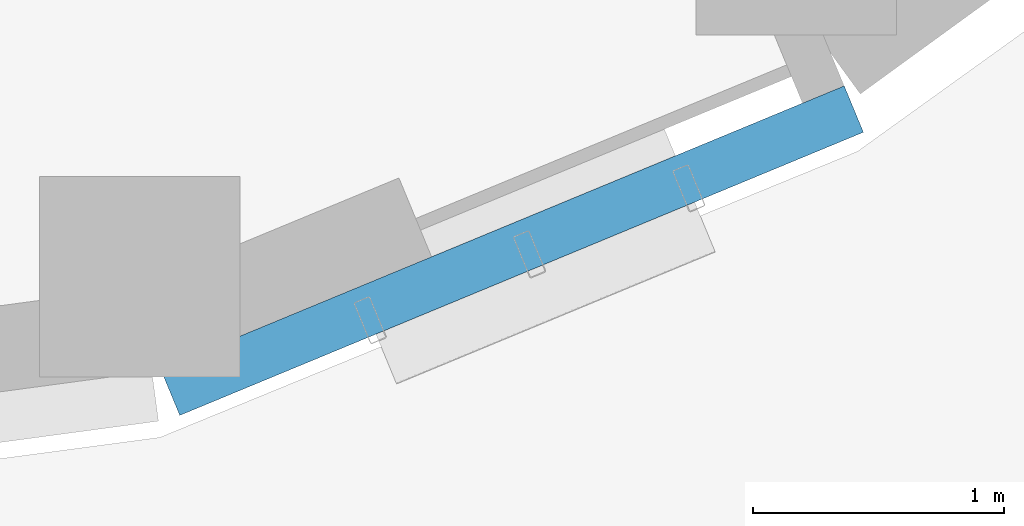
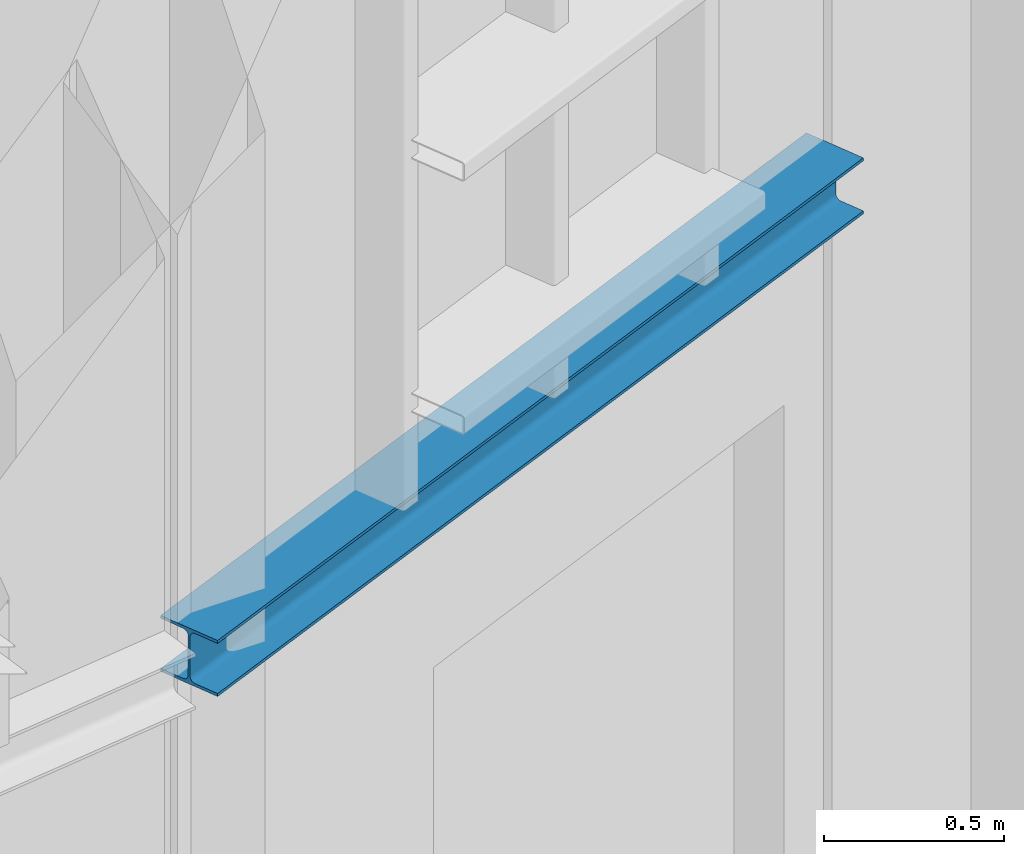
# One storey, part 42 of 372: 1 beam.
"""IFC4 building model written with IfcOpenShell, lengths in metres."""

from ifc_helpers import new_model, si_unit, direction, frame, origin, origin_2d, place, context, subcontext, project, spatial, i_section, extrude, material, material_profile, profile_set, type_object, element, save


model = new_model("IFC4")

# Units and contexts
model_context = context("Model", 3, precision=1e-05, world=origin(), true_north=direction((0.0, 1.0)))
body_context = subcontext(model_context, "Body", "Model", "MODEL_VIEW")
ifc_project = project(units=[si_unit("LENGTHUNIT", "METRE"), si_unit("AREAUNIT", "SQUARE_METRE"), si_unit("VOLUMEUNIT", "CUBIC_METRE"), si_unit("PLANEANGLEUNIT", "RADIAN"), si_unit("MASSUNIT", "GRAM", prefix="KILO")], contexts=[model_context])

# Site, building, storey
site_placement = place(None, origin())
site = spatial("IfcSite", under=ifc_project, at=site_placement, CompositionType="ELEMENT")
building_placement = place(site_placement, origin())
building = spatial("IfcBuilding", under=site, at=building_placement, Name="Kaelora Sail Theatre", CompositionType="ELEMENT")
storey_placement = place(building_placement, origin())
storey = spatial("IfcBuildingStorey", under=building, at=storey_placement, Name="L00", CompositionType="ELEMENT", Elevation=0.0)

# Beam
ifc_material = material(Name="Steel S355", Category="steel")
ifc_material_profile = material_profile(ifc_material, i_section(OverallWidth=0.199951171875, OverallDepth=0.18994140625, WebThickness=0.006591796875, FlangeThickness=0.010009765625, FilletRadius=0.01806640625, at=origin_2d()), Name="HEA 200")
ifc_profile_set = profile_set([ifc_material_profile], Name="Steel S355")
beam_type = type_object("IfcBeamType", Name="STR-BM-BM-HEA200", PredefinedType="BEAM", material=ifc_profile_set)
beam_placement = place(storey_placement, frame((47.62890625, 25.105224609375, 3.0048828125), z_axis=(-0.923897776758, -0.382639383887, 0.0), x_axis=(0.382639383887, -0.923897776758, 0.0)))
element("IfcBeam", 1, at=beam_placement, inside=storey, type_object=beam_type, Name="Main Theatre Sail Drum brise-soleil portal lintel beam C10", PredefinedType="BEAM", context=body_context, shape_type="SweptSolid", body=[
    extrude(i_section(OverallWidth=0.199951171875, OverallDepth=0.18994140625, WebThickness=0.006591796875, FlangeThickness=0.010009765625, FilletRadius=0.01806640625, at=origin_2d()), origin(), (0.0, 0.0, 1.0), 2.948974609375),
])

save(model, "model.ifc")
